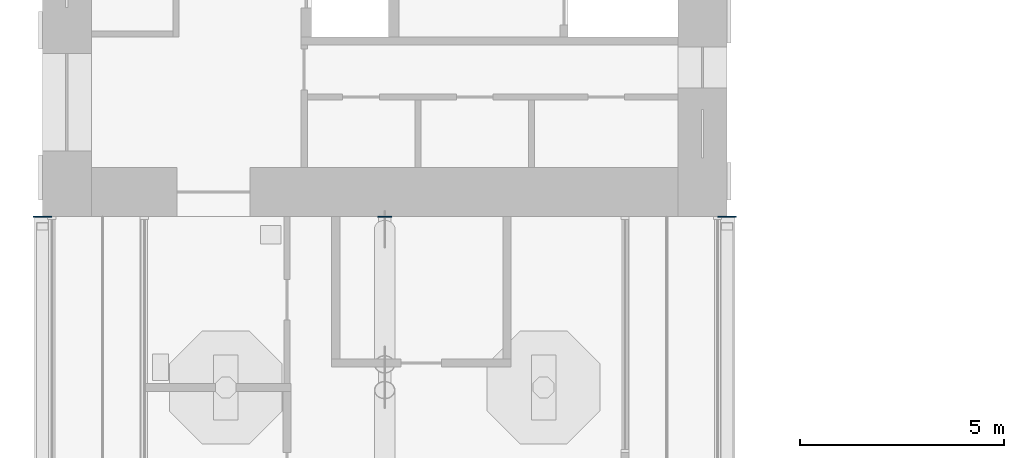
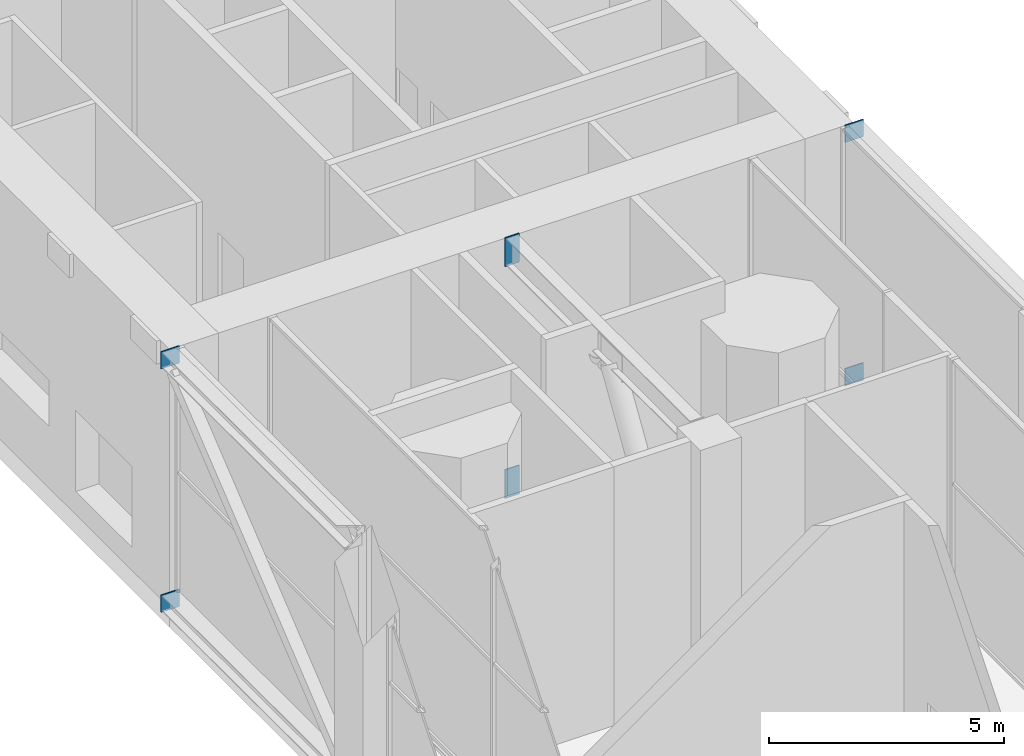
# One storey, part 15 of 20: 6 discrete accessories.
"""IFC4 building model written with IfcOpenShell, lengths in metres."""

from ifc_helpers import new_model, si_unit, direction, frame, origin, origin_2d, place, context, subcontext, project, spatial, rectangle, extrude, element, save


model = new_model("IFC4")

# Units and contexts
model_context = context("Model", 3, precision=1e-05, world=origin(), true_north=direction((0.0, 1.0)))
body_context = subcontext(model_context, "Body", "Model", "MODEL_VIEW")
ifc_project = project(units=[si_unit("LENGTHUNIT", "METRE"), si_unit("AREAUNIT", "SQUARE_METRE"), si_unit("VOLUMEUNIT", "CUBIC_METRE"), si_unit("PLANEANGLEUNIT", "RADIAN"), si_unit("MASSUNIT", "GRAM", prefix="KILO")], contexts=[model_context])

# Site, building, storey
site_placement = place(None, origin())
site = spatial("IfcSite", under=ifc_project, at=site_placement, CompositionType="ELEMENT")
building_placement = place(site_placement, origin())
building = spatial("IfcBuilding", under=site, at=building_placement, Name="Vermilion Gate Residences", CompositionType="ELEMENT")
storey_placement = place(building_placement, frame((0.0, 0.0, 207.199951171875)))
storey = spatial("IfcBuildingStorey", under=building, at=storey_placement, Name="L54", CompositionType="ELEMENT", Elevation=207.199951171875)

# Discrete accessories
for number, where, z_axis, x_axis, name in (
    (1, (8.39990234375, 41.987548828125, -0.02490234375), (0.0, 0.0, 1.0), (1.0, 0.0, 0.0), "End plate B54BELT41B 2"),
    (2, (8.39990234375, 41.987548828125, 6.294921875), (0.0, 0.0, 1.0), (1.0, 0.0, 0.0), "End plate B54BELT41T 2"),
    (3, (25.199951171875, 41.987548828125, -0.02490234375), (0.0, 0.0, 1.0), (1.0, 0.0, 0.0), "End plate B54BELT44B 2"),
    (4, (25.199951171875, 41.987548828125, 6.294921875), (0.0, 0.0, 1.0), (1.0, 0.0, 0.0), "End plate B54BELT44T 2"),
):
    element("IfcDiscreteAccessory", number, at=place(storey_placement, frame(where, z_axis=z_axis, x_axis=x_axis)), inside=storey, Name=name, ObjectType="END PLATE", PredefinedType="USERDEFINED", context=body_context, shape_type="SweptSolid", body=[
        extrude(rectangle(XDim=0.449951171875, YDim=0.02490234375, at=origin_2d()), origin(), (0.0, 0.0, 1.0), 0.449951171875),
    ])
for number, where, z_axis, x_axis, name in (
    (5, (16.800048828125, 41.987548828125, -0.02490234375), (0.0, 0.0, 1.0), (1.0, 0.0, 0.0), "End plate O54OUT9B 1"),
    (6, (16.800048828125, 41.987548828125, 5.9951171875), (0.0, 0.0, 1.0), (1.0, 0.0, 0.0), "End plate O54OUT9T 1"),
):
    element("IfcDiscreteAccessory", number, at=place(storey_placement, frame(where, z_axis=z_axis, x_axis=x_axis)), inside=storey, Name=name, ObjectType="END PLATE", PredefinedType="USERDEFINED", context=body_context, shape_type="SweptSolid", body=[
        extrude(rectangle(XDim=0.35009765625, YDim=0.02490234375, at=origin_2d()), origin(), (0.0, 0.0, 1.0), 0.75),
    ])

save(model, "model.ifc")
